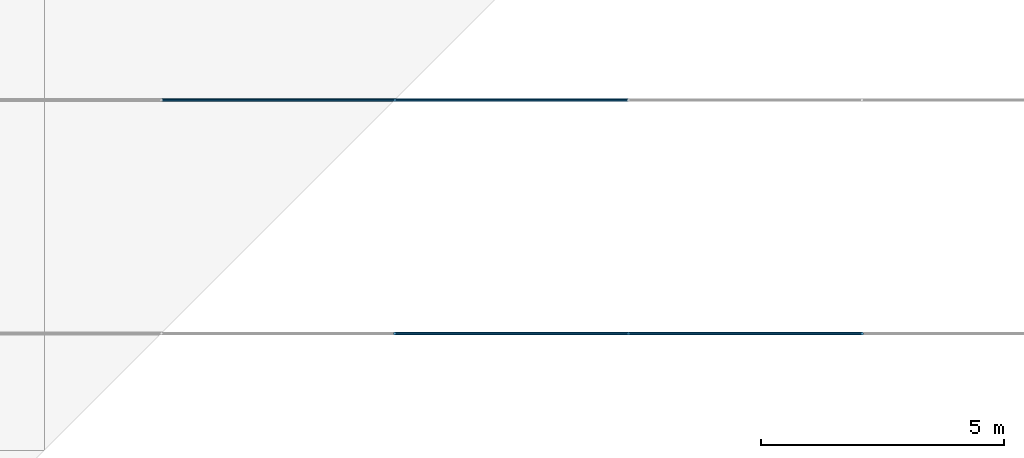
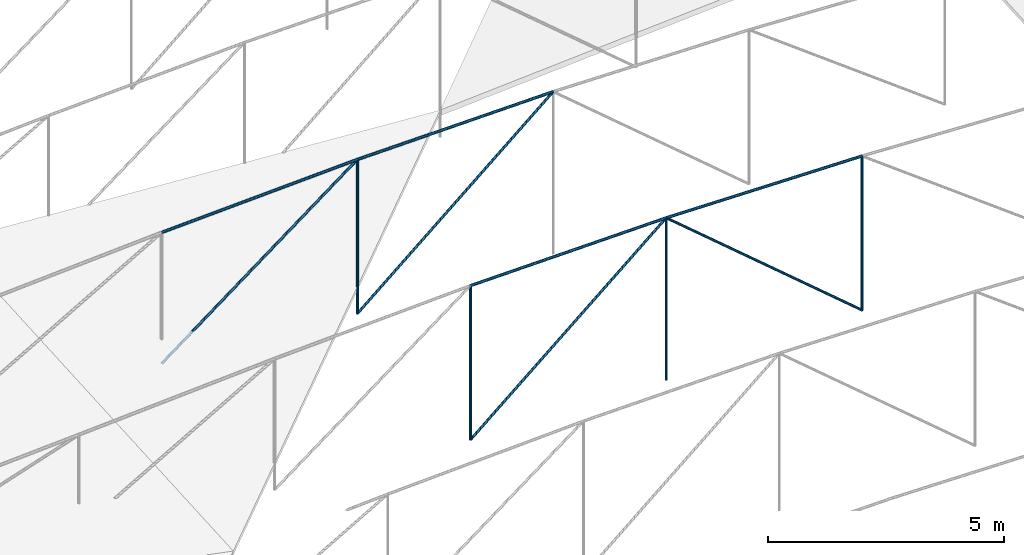
# One storey, part 18 of 50: 12 members.
"""IFC4 building model written with IfcOpenShell, lengths in metres."""

from ifc_helpers import new_model, si_unit, direction, frame, origin, origin_2d, place, context, subcontext, project, spatial, circle, extrude, material, material_profile, profile_set, type_object, element, save


model = new_model("IFC4")

# Units and contexts
model_context = context("Model", 3, precision=1e-05, world=origin(), true_north=direction((0.0, 1.0)))
body_context = subcontext(model_context, "Body", "Model", "MODEL_VIEW")
ifc_project = project(units=[si_unit("LENGTHUNIT", "METRE"), si_unit("AREAUNIT", "SQUARE_METRE"), si_unit("VOLUMEUNIT", "CUBIC_METRE"), si_unit("PLANEANGLEUNIT", "RADIAN"), si_unit("MASSUNIT", "GRAM", prefix="KILO")], contexts=[model_context])

# Site, building, storey
site_placement = place(None, origin())
site = spatial("IfcSite", under=ifc_project, at=site_placement, CompositionType="ELEMENT")
building_placement = place(site_placement, origin())
building = spatial("IfcBuilding", under=site, at=building_placement, Name="Zevrakil Square Congress Hotel", CompositionType="ELEMENT")
storey_placement = place(building_placement, frame((0.0, 0.0, 21.5)))
storey = spatial("IfcBuildingStorey", under=building, at=storey_placement, Name="L06", CompositionType="ELEMENT", Elevation=21.5)

# Members
ifc_material_1 = material(Name="Steel S355", Category="steel")
ifc_material_profile_1 = material_profile(ifc_material_1, circle(Radius=0.030029296875, at=origin_2d()), Name="CABLE RD60")
ifc_profile_set_1 = profile_set([ifc_material_profile_1], Name="Steel S355")
member_type_1 = type_object("IfcMemberType", Name="MEM-CABLE-RD60", PredefinedType="USERDEFINED", material=ifc_profile_set_1)
member_1_placement = place(storey_placement, frame((136.800048828125, 79.199951171875, -1.302001953125), z_axis=(0.0, 0.0, 1.0), x_axis=(1.0, 0.0, 0.0)))
element("IfcMember", 1, at=member_1_placement, inside=storey, type_object=member_type_1, Name="Congress cable-truss vertical tie CBW-03-4", ObjectType="ROOF CABLE", PredefinedType="USERDEFINED", context=body_context, shape_type="SweptSolid", body=[
    extrude(circle(Radius=0.030029296875, at=origin_2d()), origin(), (0.0, 0.0, 1.0), 3.994384765625),
])
member_2_placement = place(storey_placement, frame((136.800048828125, 79.199951171875, -1.302001953125), z_axis=(0.76256769405, 0.0, 0.646908426279), x_axis=(0.0, 1.0, 0.0)))
element("IfcMember", 2, at=member_2_placement, inside=storey, type_object=member_type_1, Name="Congress cable-truss web diagonal CBD-03-5", ObjectType="ROOF CABLE", PredefinedType="USERDEFINED", context=body_context, shape_type="SweptSolid", body=[
    extrude(circle(Radius=0.030029296875, at=origin_2d()), origin(), (0.0, 0.0, 1.0), 6.294677734375),
])
member_3_placement = place(storey_placement, frame((141.60009765625, 79.199951171875, -1.429931640625), z_axis=(0.0, 0.0, 1.0), x_axis=(1.0, 0.0, 0.0)))
element("IfcMember", 3, at=member_3_placement, inside=storey, type_object=member_type_1, Name="Congress cable-truss vertical tie CBW-03-5", ObjectType="ROOF CABLE", PredefinedType="USERDEFINED", context=body_context, shape_type="SweptSolid", body=[
    extrude(circle(Radius=0.030029296875, at=origin_2d()), origin(), (0.0, 0.0, 1.0), 4.199951171875),
])
member_4_placement = place(storey_placement, frame((146.39990234375, 79.199951171875, -1.302001953125), z_axis=(-0.762551461839, 0.0, 0.646927560123), x_axis=(0.0, -1.0, 0.0)))
element("IfcMember", 4, at=member_4_placement, inside=storey, type_object=member_type_1, Name="Congress cable-truss web diagonal CBD-03-6", ObjectType="ROOF CABLE", PredefinedType="USERDEFINED", context=body_context, shape_type="SweptSolid", body=[
    extrude(circle(Radius=0.030029296875, at=origin_2d()), origin(), (0.0, 0.0, 1.0), 6.29443359375),
])
member_5_placement = place(storey_placement, frame((146.39990234375, 79.199951171875, -1.302001953125), z_axis=(0.0, 0.0, 1.0), x_axis=(1.0, 0.0, 0.0)))
element("IfcMember", 5, at=member_5_placement, inside=storey, type_object=member_type_1, Name="Congress cable-truss vertical tie CBW-03-6", ObjectType="ROOF CABLE", PredefinedType="USERDEFINED", context=body_context, shape_type="SweptSolid", body=[
    extrude(circle(Radius=0.030029296875, at=origin_2d()), origin(), (0.0, 0.0, 1.0), 3.994384765625),
])
member_6_placement = place(storey_placement, frame((132.0, 84.0, -0.55810546875), z_axis=(0.799155382701, 0.0, 0.601124508151), x_axis=(0.0, 1.0, 0.0)))
element("IfcMember", 6, at=member_6_placement, inside=storey, type_object=member_type_1, Name="Congress cable-truss web diagonal CBD-04-4", ObjectType="ROOF CABLE", PredefinedType="USERDEFINED", context=body_context, shape_type="SweptSolid", body=[
    extrude(circle(Radius=0.030029296875, at=origin_2d()), origin(), (0.0, 0.0, 1.0), 6.00634765625),
])
member_7_placement = place(storey_placement, frame((136.800048828125, 84.0, -0.94189453125), z_axis=(0.0, 0.0, 1.0), x_axis=(1.0, 0.0, 0.0)))
element("IfcMember", 7, at=member_7_placement, inside=storey, type_object=member_type_1, Name="Congress cable-truss vertical tie CBW-04-4", ObjectType="ROOF CABLE", PredefinedType="USERDEFINED", context=body_context, shape_type="SweptSolid", body=[
    extrude(circle(Radius=0.030029296875, at=origin_2d()), origin(), (0.0, 0.0, 1.0), 3.994384765625),
])
member_8_placement = place(storey_placement, frame((136.800048828125, 84.0, -0.94189453125), z_axis=(0.762586827679, 0.0, 0.646885871117), x_axis=(0.0, 1.0, 0.0)))
element("IfcMember", 8, at=member_8_placement, inside=storey, type_object=member_type_1, Name="Congress cable-truss web diagonal CBD-04-5", ObjectType="ROOF CABLE", PredefinedType="USERDEFINED", context=body_context, shape_type="SweptSolid", body=[
    extrude(circle(Radius=0.030029296875, at=origin_2d()), origin(), (0.0, 0.0, 1.0), 6.29443359375),
])
ifc_material_2 = material(Name="Steel S355", Category="steel")
ifc_material_profile_2 = material_profile(ifc_material_2, circle(Radius=0.033935546875, at=origin_2d()), Name="CABLE RD68")
ifc_profile_set_2 = profile_set([ifc_material_profile_2], Name="Steel S355")
member_type_2 = type_object("IfcMemberType", Name="MEM-CABLE-RD68", PredefinedType="USERDEFINED", material=ifc_profile_set_2)
member_9_placement = place(storey_placement, frame((136.800048828125, 79.199951171875, 2.6923828125), z_axis=(0.999869224064, 0.0, 0.016172036684), x_axis=(0.0, 1.0, 0.0)))
element("IfcMember", 9, at=member_9_placement, inside=storey, type_object=member_type_2, Name="Congress lenticular upper cable chord CBU-03 seg 5", ObjectType="ROOF CABLE", PredefinedType="USERDEFINED", context=body_context, shape_type="SweptSolid", body=[
    extrude(circle(Radius=0.033935546875, at=origin_2d()), origin(), (0.0, 0.0, 1.0), 4.80078125),
])
member_10_placement = place(storey_placement, frame((141.60009765625, 79.199951171875, 2.77001953125), z_axis=(0.999869210762, 0.0, -0.016172859055), x_axis=(0.0, 1.0, 0.0)))
element("IfcMember", 10, at=member_10_placement, inside=storey, type_object=member_type_2, Name="Congress lenticular upper cable chord CBU-03 seg 6", ObjectType="ROOF CABLE", PredefinedType="USERDEFINED", context=body_context, shape_type="SweptSolid", body=[
    extrude(circle(Radius=0.033935546875, at=origin_2d()), origin(), (0.0, 0.0, 1.0), 4.800537109375),
])
member_11_placement = place(storey_placement, frame((132.0, 84.0, 2.83984375), z_axis=(0.99902015714, 0.0, 0.044257492339), x_axis=(0.0, 1.0, 0.0)))
element("IfcMember", 11, at=member_11_placement, inside=storey, type_object=member_type_2, Name="Congress lenticular upper cable chord CBU-04 seg 4", ObjectType="ROOF CABLE", PredefinedType="USERDEFINED", context=body_context, shape_type="SweptSolid", body=[
    extrude(circle(Radius=0.033935546875, at=origin_2d()), origin(), (0.0, 0.0, 1.0), 4.8046875),
])
member_12_placement = place(storey_placement, frame((136.800048828125, 84.0, 3.052490234375), z_axis=(0.9998700451, 0.0, 0.016121194461), x_axis=(0.0, 1.0, 0.0)))
element("IfcMember", 12, at=member_12_placement, inside=storey, type_object=member_type_2, Name="Congress lenticular upper cable chord CBU-04 seg 5", ObjectType="ROOF CABLE", PredefinedType="USERDEFINED", context=body_context, shape_type="SweptSolid", body=[
    extrude(circle(Radius=0.033935546875, at=origin_2d()), origin(), (0.0, 0.0, 1.0), 4.80078125),
])

save(model, "model.ifc")
